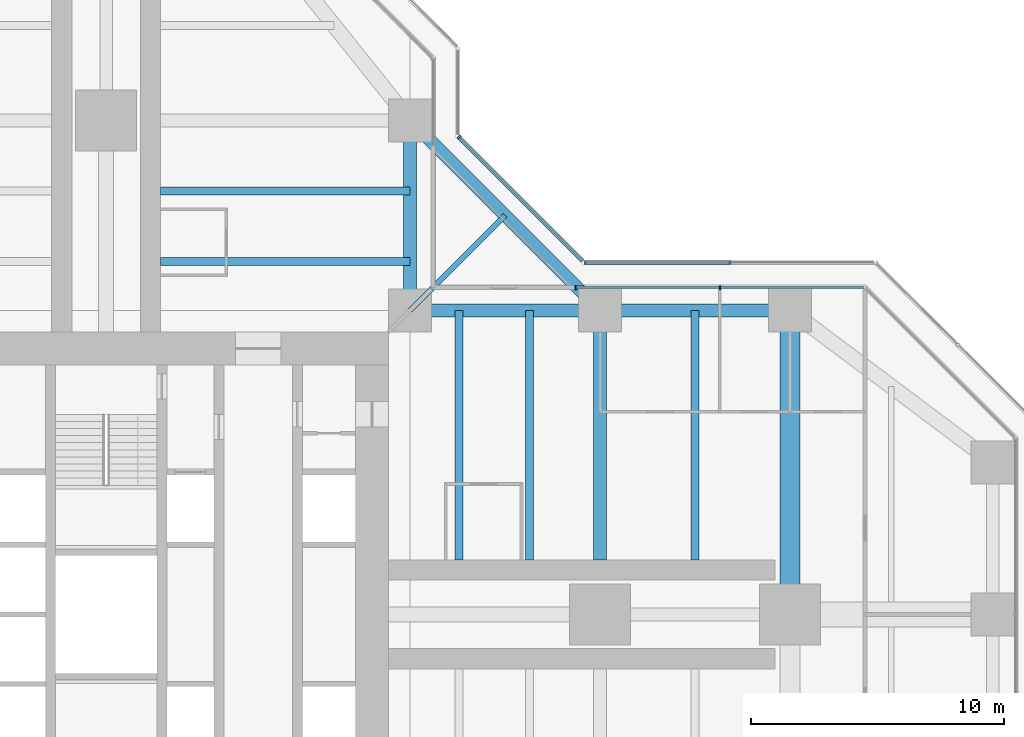
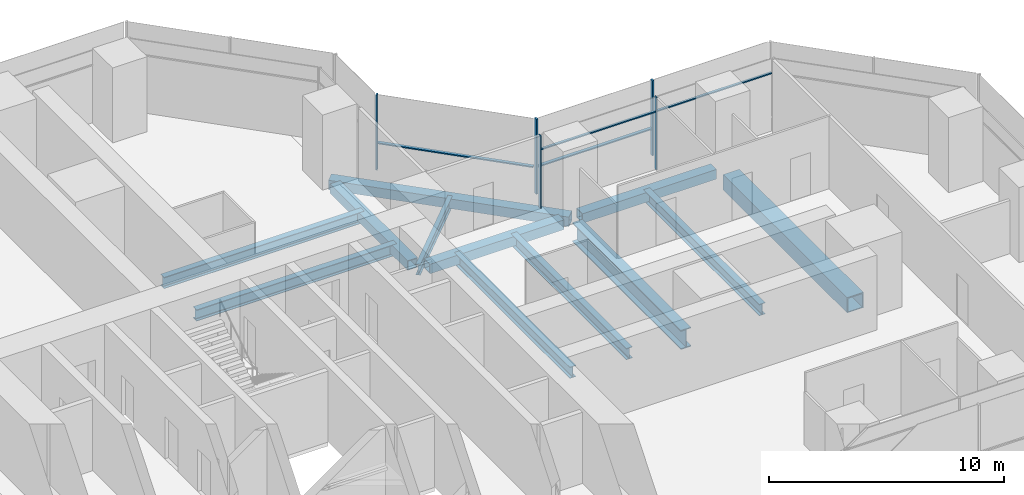
# One storey, part 9 of 20: 12 beams, 9 members, 3 elements without a shape of their own.
"""IFC4 building model written with IfcOpenShell, lengths in metres."""

from ifc_helpers import new_model, si_unit, direction, frame, origin, origin_2d, place, context, subcontext, project, spatial, rectangle, hollow_rectangle, i_section, extrude, material, material_profile, profile_set, type_object, element, aggregate, save


model = new_model("IFC4")

# Units and contexts
model_context = context("Model", 3, precision=1e-05, world=origin(), true_north=direction((0.0, 1.0)))
body_context = subcontext(model_context, "Body", "Model", "MODEL_VIEW")
ifc_project = project(units=[si_unit("LENGTHUNIT", "METRE"), si_unit("AREAUNIT", "SQUARE_METRE"), si_unit("VOLUMEUNIT", "CUBIC_METRE"), si_unit("PLANEANGLEUNIT", "RADIAN"), si_unit("MASSUNIT", "GRAM", prefix="KILO")], contexts=[model_context])

# Site, building, storey
site_placement = place(None, origin())
site = spatial("IfcSite", under=ifc_project, at=site_placement, CompositionType="ELEMENT")
building_placement = place(site_placement, origin())
building = spatial("IfcBuilding", under=site, at=building_placement, Name="Mizan Broadcast Tower", CompositionType="ELEMENT")
storey_placement = place(building_placement, frame((0.0, 0.0, 155.39990234375)))
storey = spatial("IfcBuildingStorey", under=building, at=storey_placement, Name="L35", CompositionType="ELEMENT", Elevation=155.39990234375)

# Beams
ifc_material_1 = material(Name="Steel S355", Category="steel")
ifc_material_profile_1 = material_profile(ifc_material_1, hollow_rectangle(XDim=0.5, YDim=0.5, WallThickness=0.030029296875, at=origin_2d()), Name="BOX 500x500x30")
ifc_profile_set_1 = profile_set([ifc_material_profile_1], Name="Steel S355")
beam_type_1 = type_object("IfcBeamType", Name="EDGE BEAM BOX 500x500x30", PredefinedType="SPANDREL", material=ifc_profile_set_1)
for number, where, z_axis, x_axis, name in (
    (1, (12.449951171875, 12.0, -0.3798828125), (1.0, 0.0, 0.0), (0.0, 1.0, 0.0), "Edge beam BOX 500x500x30 L35 east arm"),
    (2, (19.949951171875, 12.0, -0.3798828125), (1.0, 0.0, 0.0), (0.0, 1.0, 0.0), "Edge beam BOX 500x500x30 L35 east arm"),
    (3, (12.0, 12.449951171875, -0.3798828125), (0.0, 1.0, 0.0), (-1.0, 0.0, 0.0), "Edge beam BOX 500x500x30 L35 north arm"),
):
    element("IfcBeam", number, at=place(storey_placement, frame(where, z_axis=z_axis, x_axis=x_axis)), inside=storey, type_object=beam_type_1, Name=name, PredefinedType="SPANDREL", context=body_context, shape_type="SweptSolid", body=[
        extrude(hollow_rectangle(XDim=0.5, YDim=0.5, WallThickness=0.030029296875, at=origin_2d()), origin(), (0.0, 0.0, 1.0), 6.60009765625),
    ])
beam_1_placement = place(storey_placement, frame((19.5, 12.0, -0.3798828125), z_axis=(-0.707106781187, 0.707106781187, 0.0), x_axis=(-0.707106781187, -0.707106781187, 0.0)))
element("IfcBeam", 4, at=beam_1_placement, inside=storey, type_object=beam_type_1, Name="Winter garden edge beam L35 E", PredefinedType="SPANDREL", context=body_context, shape_type="SweptSolid", body=[
    extrude(hollow_rectangle(XDim=0.5, YDim=0.5, WallThickness=0.030029296875, at=origin_2d()), origin(), (0.0, 0.0, 1.0), 10.606689453125),
])
ifc_material_2 = material(Name="Steel S460", Category="steel")
ifc_material_profile_2 = material_profile(ifc_material_2, hollow_rectangle(XDim=0.800048828125, YDim=0.800048828125, WallThickness=0.050048828125, at=origin_2d()), Name="BOX 800x800x50")
ifc_profile_set_2 = profile_set([ifc_material_profile_2], Name="Steel S460")
beam_type_2 = type_object("IfcBeamType", Name="GIRDER BOX 800x800x50", PredefinedType="BEAM", material=ifc_profile_set_2)
beam_2_placement = place(storey_placement, frame((27.0, 11.280029296875, -0.52978515625), z_axis=(0.0, -1.0, 0.0), x_axis=(1.0, 0.0, 0.0)))
element("IfcBeam", 5, at=beam_2_placement, inside=storey, type_object=beam_type_2, Name="Girder BOX 800x800x50 L35 east arm", PredefinedType="BEAM", context=body_context, shape_type="SweptSolid", body=[
    extrude(hollow_rectangle(XDim=0.800048828125, YDim=0.800048828125, WallThickness=0.050048828125, at=origin_2d()), origin(), (0.0, 0.0, 1.0), 10.56005859375),
])
ifc_material_3 = material(Name="Steel S460", Category="steel")
ifc_material_profile_3 = material_profile(ifc_material_3, i_section(OverallWidth=0.5, OverallDepth=1.0, WebThickness=0.02490234375, FlangeThickness=0.050048828125, at=origin_2d()), Name="WPG 1000x500")
ifc_profile_set_3 = profile_set([ifc_material_profile_3], Name="Steel S460")
beam_type_3 = type_object("IfcBeamType", Name="GIRDER WPG 1000x500", PredefinedType="BEAM", material=ifc_profile_set_3)
beam_3_placement = place(storey_placement, frame((19.5, 11.408935546875, -0.6298828125), z_axis=(0.0, -1.0, 0.0), x_axis=(1.0, 0.0, 0.0)))
element("IfcBeam", 6, at=beam_3_placement, inside=storey, type_object=beam_type_3, Name="Girder WPG 1000x500 L35 east arm", PredefinedType="BEAM", context=body_context, shape_type="SweptSolid", body=[
    extrude(i_section(OverallWidth=0.5, OverallDepth=1.0, WebThickness=0.02490234375, FlangeThickness=0.050048828125, at=origin_2d()), origin(), (0.0, 0.0, 1.0), 9.259033203125),
])

# Curtain wall, members
ifc_material_4 = material(Name="Aluminium framed glazing", Category="aluminium")
curtain_wall_type_1 = type_object("IfcCurtainWallType", Name="INNER SKIN MID ZONE", PredefinedType="USERDEFINED", material=ifc_material_4)
curtain_wall_1_placement = place(storey_placement, origin())
curtain_wall_1 = element("IfcCurtainWall", 7, at=curtain_wall_1_placement, inside=storey, type_object=curtain_wall_type_1, Name="Inner skin mid zone L35 E side", ObjectType="INNER SKIN MID ZONE", PredefinedType="USERDEFINED")
ifc_material_5 = material(Name="Aluminium, pale anodised", Category="aluminium")
ifc_material_profile_4 = material_profile(ifc_material_5, rectangle(XDim=0.159912109375, YDim=0.06005859375, at=origin_2d()), Name="MULLION 160x60")
ifc_profile_set_4 = profile_set([ifc_material_profile_4], Name="Aluminium, pale anodised")
member_type_1 = type_object("IfcMemberType", Name="INNER SKIN MULLION 60x160", PredefinedType="MULLION", material=ifc_profile_set_4)
member_1_placement = place(storey_placement, frame((24.229248046875, 12.89990234375, 0.0), z_axis=(0.0, 0.0, 1.0), x_axis=(0.0, -1.0, 0.0)))
member_1 = element("IfcMember", 8, at=member_1_placement, type_object=member_type_1, Name="Inner skin mid zone L35 E side mullion 2", PredefinedType="MULLION", context=body_context, shape_type="SweptSolid", body=[
    extrude(rectangle(XDim=0.159912109375, YDim=0.06005859375, at=origin_2d()), origin(), (0.0, 0.0, 1.0), 3.77001953125),
])
member_2_placement = place(storey_placement, frame((18.530029296875, 12.89990234375, 0.0), z_axis=(0.0, 0.0, 1.0), x_axis=(0.0, -1.0, 0.0)))
member_2 = element("IfcMember", 9, at=member_2_placement, type_object=member_type_1, Name="Inner skin mid zone L35 E side mullion 3", PredefinedType="MULLION", context=body_context, shape_type="SweptSolid", body=[
    extrude(rectangle(XDim=0.159912109375, YDim=0.06005859375, at=origin_2d()), origin(), (0.0, 0.0, 1.0), 3.77001953125),
])
ifc_material_6 = material(Name="Aluminium, pale anodised", Category="aluminium")
ifc_material_profile_5 = material_profile(ifc_material_6, rectangle(XDim=0.1201171875, YDim=0.06005859375, at=origin_2d()), Name="TRANSOM 120x60")
ifc_profile_set_5 = profile_set([ifc_material_profile_5], Name="Aluminium, pale anodised")
member_type_2 = type_object("IfcMemberType", Name="INNER SKIN TRANSOM 60x120", PredefinedType="USERDEFINED", material=ifc_profile_set_5)
member_3_placement = place(storey_placement, frame((29.898681640625, 12.89990234375, 3.030029296875), z_axis=(-1.0, 0.0, 0.0), x_axis=(0.0, -1.0, 0.0)))
member_3 = element("IfcMember", 10, at=member_3_placement, type_object=member_type_2, Name="Inner skin mid zone L35 E side transom 1.1", ObjectType="TRANSOM", PredefinedType="USERDEFINED", context=body_context, shape_type="SweptSolid", body=[
    extrude(rectangle(XDim=0.1201171875, YDim=0.06005859375, at=origin_2d()), origin(), (0.0, 0.0, 1.0), 5.639404296875),
])
member_4_placement = place(storey_placement, frame((24.19921875, 12.89990234375, 3.030029296875), z_axis=(-1.0, 0.0, 0.0), x_axis=(0.0, -1.0, 0.0)))
member_4 = element("IfcMember", 11, at=member_4_placement, type_object=member_type_2, Name="Inner skin mid zone L35 E side transom 2.1", ObjectType="TRANSOM", PredefinedType="USERDEFINED", context=body_context, shape_type="SweptSolid", body=[
    extrude(rectangle(XDim=0.1201171875, YDim=0.06005859375, at=origin_2d()), origin(), (0.0, 0.0, 1.0), 5.63916015625),
])
aggregate(curtain_wall_1, [member_1, member_2, member_3, member_4])

ifc_material_7 = material(Name="Aluminium framed glazing", Category="aluminium")
curtain_wall_type_2 = type_object("IfcCurtainWallType", Name="OUTER SKIN", PredefinedType="USERDEFINED", material=ifc_material_7)
curtain_wall_2_placement = place(storey_placement, origin())
curtain_wall_2 = element("IfcCurtainWall", 12, at=curtain_wall_2_placement, inside=storey, type_object=curtain_wall_type_2, Name="Outer skin L35 E side", ObjectType="OUTER SKIN", PredefinedType="USERDEFINED")
ifc_material_8 = material(Name="Aluminium, pale anodised", Category="aluminium")
ifc_material_profile_6 = material_profile(ifc_material_8, rectangle(XDim=0.159912109375, YDim=0.080078125, at=origin_2d()), Name="MULLION 160x80")
ifc_profile_set_6 = profile_set([ifc_material_profile_6], Name="Aluminium, pale anodised")
member_type_3 = type_object("IfcMemberType", Name="OUTER SKIN MULLION 80x160", PredefinedType="MULLION", material=ifc_profile_set_6)
member_5_placement = place(storey_placement, frame((24.622802734375, 13.89990234375, 0.0), z_axis=(0.0, 0.0, 1.0), x_axis=(0.0, -1.0, 0.0)))
member_5 = element("IfcMember", 13, at=member_5_placement, type_object=member_type_3, Name="Outer skin L35 E side mullion 2", PredefinedType="MULLION", context=body_context, shape_type="SweptSolid", body=[
    extrude(rectangle(XDim=0.159912109375, YDim=0.080078125, at=origin_2d()), origin(), (0.0, 0.0, 1.0), 3.900146484375),
])
member_6_placement = place(storey_placement, frame((18.912841796875, 13.89990234375, 0.0), z_axis=(0.0, 0.0, 1.0), x_axis=(0.0, -1.0, 0.0)))
member_6 = element("IfcMember", 14, at=member_6_placement, type_object=member_type_3, Name="Outer skin L35 E side mullion 3", PredefinedType="MULLION", context=body_context, shape_type="SweptSolid", body=[
    extrude(rectangle(XDim=0.159912109375, YDim=0.080078125, at=origin_2d()), origin(), (0.0, 0.0, 1.0), 3.900146484375),
])

# Curtain wall, member
curtain_wall_3_placement = place(storey_placement, origin())
curtain_wall_3 = element("IfcCurtainWall", 15, at=curtain_wall_3_placement, inside=storey, type_object=curtain_wall_type_2, Name="Outer skin L35 E chamfer", ObjectType="OUTER SKIN", PredefinedType="USERDEFINED")
member_7_placement = place(storey_placement, frame((13.92822265625, 18.844482421875, 0.0), z_axis=(0.0, 0.0, 1.0), x_axis=(-0.707106781187, -0.707106781187, 0.0)))
member_7 = element("IfcMember", 16, at=member_7_placement, type_object=member_type_3, Name="Outer skin L35 E chamfer mullion 2", PredefinedType="MULLION", context=body_context, shape_type="SweptSolid", body=[
    extrude(rectangle(XDim=0.159912109375, YDim=0.080078125, at=origin_2d()), origin(), (0.0, 0.0, 1.0), 3.900146484375),
])

# Member
ifc_material_9 = material(Name="Aluminium, pale anodised", Category="aluminium")
ifc_material_profile_7 = material_profile(ifc_material_9, rectangle(XDim=0.159912109375, YDim=0.06005859375, at=origin_2d()), Name="TRANSOM 160x60")
ifc_profile_set_7 = profile_set([ifc_material_profile_7], Name="Aluminium, pale anodised")
member_type_4 = type_object("IfcMemberType", Name="OUTER SKIN TRANSOM 60x160", PredefinedType="USERDEFINED", material=ifc_profile_set_7)
member_8_placement = place(storey_placement, frame((24.582763671875, 13.89990234375, 1.400146484375), z_axis=(-1.0, 0.0, 0.0), x_axis=(0.0, -1.0, 0.0)))
member_8 = element("IfcMember", 17, at=member_8_placement, type_object=member_type_4, Name="Outer skin L35 E side transom 2.1", ObjectType="TRANSOM", PredefinedType="USERDEFINED", context=body_context, shape_type="SweptSolid", body=[
    extrude(rectangle(XDim=0.159912109375, YDim=0.06005859375, at=origin_2d()), origin(), (0.0, 0.0, 1.0), 5.6298828125),
])

aggregate(curtain_wall_2, [member_5, member_6, member_8])

member_9_placement = place(storey_placement, frame((18.816162109375, 13.95654296875, 1.400146484375), z_axis=(-0.707106781187, 0.707106781187, 0.0), x_axis=(-0.707106781187, -0.707106781187, 0.0)))
member_9 = element("IfcMember", 18, at=member_9_placement, type_object=member_type_4, Name="Outer skin L35 E chamfer transom 1.1", ObjectType="TRANSOM", PredefinedType="USERDEFINED", context=body_context, shape_type="SweptSolid", body=[
    extrude(rectangle(XDim=0.159912109375, YDim=0.06005859375, at=origin_2d()), origin(), (0.0, 0.0, 1.0), 6.87255859375),
])

aggregate(curtain_wall_3, [member_7, member_9])

# Beams
ifc_material_10 = material(Name="Steel S355", Category="steel")
ifc_material_profile_8 = material_profile(ifc_material_10, i_section(OverallWidth=0.300048828125, OverallDepth=0.590087890625, WebThickness=0.012939453125, FlangeThickness=0.02490234375, FilletRadius=0.027099609375, at=origin_2d()), Name="HEA 600")
ifc_profile_set_8 = profile_set([ifc_material_profile_8], Name="Steel S355")
beam_type_4 = type_object("IfcBeamType", Name="SECONDARY BEAM HEA 600", PredefinedType="JOIST", material=ifc_profile_set_8)
for number, where, z_axis, x_axis, name in (
    (19, (13.933349609375, 12.0, -0.4248046875), (0.0, -1.0, 0.0), (1.0, 0.0, 0.0), "Secondary beam HEA 600 L35 east arm"),
    (20, (16.716552734375, 12.0, -0.4248046875), (0.0, -1.0, 0.0), (1.0, 0.0, 0.0), "Secondary beam HEA 600 L35 east arm"),
    (21, (23.25, 12.0, -0.4248046875), (0.0, -1.0, 0.0), (1.0, 0.0, 0.0), "Secondary beam HEA 600 L35 east arm"),
    (22, (12.0, 13.933349609375, -0.4248046875), (-1.0, 0.0, 0.0), (0.0, -1.0, 0.0), "Secondary beam HEA 600 L35 north arm"),
    (23, (12.0, 16.716552734375, -0.4248046875), (-1.0, 0.0, 0.0), (0.0, -1.0, 0.0), "Secondary beam HEA 600 L35 north arm"),
):
    element("IfcBeam", number, at=place(storey_placement, frame(where, z_axis=z_axis, x_axis=x_axis)), inside=storey, type_object=beam_type_4, Name=name, PredefinedType="JOIST", context=body_context, shape_type="SweptSolid", body=[
        extrude(i_section(OverallWidth=0.300048828125, OverallDepth=0.590087890625, WebThickness=0.012939453125, FlangeThickness=0.02490234375, FilletRadius=0.027099609375, at=origin_2d()), origin(), (0.0, 0.0, 1.0), 9.85009765625),
    ])
ifc_material_11 = material(Name="Steel S355", Category="steel")
ifc_material_profile_9 = material_profile(ifc_material_11, i_section(OverallWidth=0.2099609375, OverallDepth=0.550048828125, WebThickness=0.010986328125, FlangeThickness=0.01708984375, FilletRadius=0.02392578125, at=origin_2d()), Name="IPE 550")
ifc_profile_set_9 = profile_set([ifc_material_profile_9], Name="Steel S355")
beam_type_5 = type_object("IfcBeamType", Name="SECONDARY BEAM IPE 550", PredefinedType="JOIST", material=ifc_profile_set_9)
beam_4_placement = place(storey_placement, frame((12.0, 12.0, -0.40478515625), z_axis=(0.707106781187, 0.707106781187, 0.0), x_axis=(-0.707106781187, 0.707106781187, 0.0)))
element("IfcBeam", 24, at=beam_4_placement, inside=storey, type_object=beam_type_5, Name="Winter garden beam L35 E", PredefinedType="JOIST", context=body_context, shape_type="SweptSolid", body=[
    extrude(i_section(OverallWidth=0.2099609375, OverallDepth=0.550048828125, WebThickness=0.010986328125, FlangeThickness=0.01708984375, FilletRadius=0.02392578125, at=origin_2d()), origin(), (0.0, 0.0, 1.0), 5.30322265625),
])

save(model, "model.ifc")
